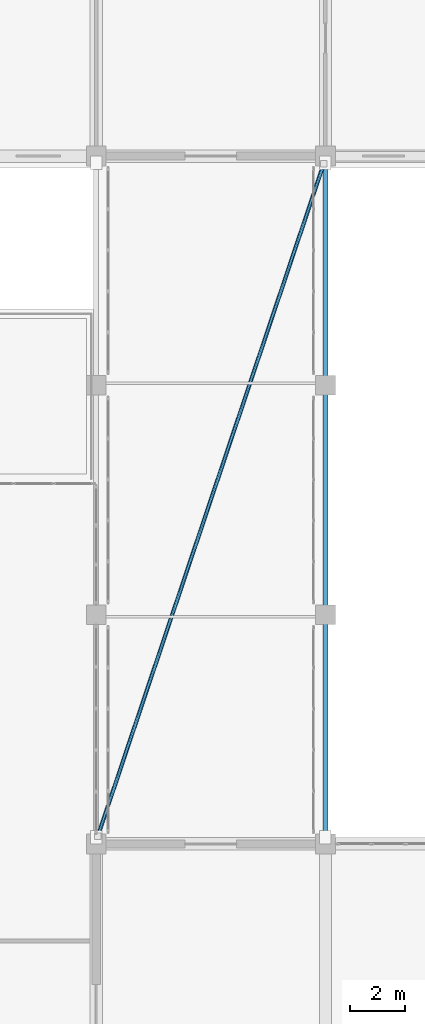
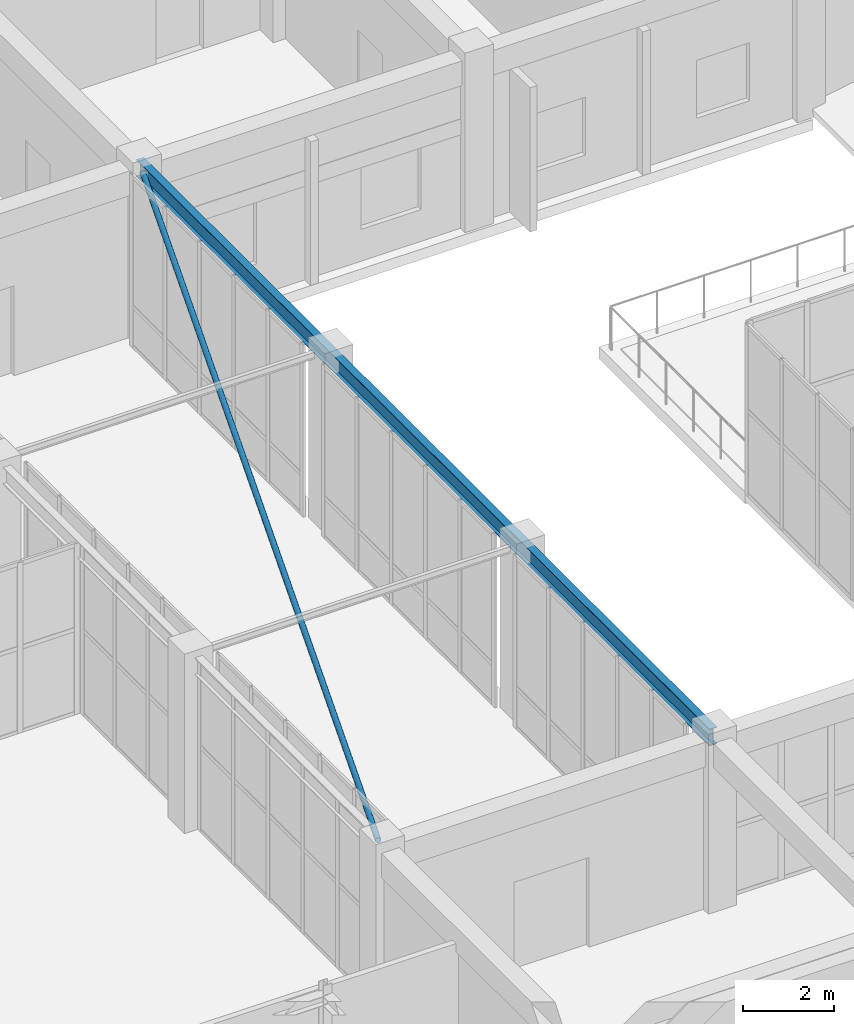
# One storey, part 74 of 158: 1 beam, 1 member.
"""IFC4 building model written with IfcOpenShell, lengths in metres."""

import ifcopenshell
import ifcopenshell.guid

model = None  # the IFC model being written
_history = None  # IfcOwnerHistory: only IFC2X3 demands one
_inside = {}  # id of a spatial element -> (the spatial element, [elements in it])
_under = {}  # id of a project, library or spatial element -> (it, [spatial elements below it])
_declared = {}  # id of a project -> (the project, [libraries it declares])
_typed = {}  # id of a type object -> (the type object, [elements of that type])
_made_of = {}  # id of a material, layer set ... -> (it, [elements and type objects made of it])


def new_model(schema):
    """Start an empty IFC model of exactly this schema.

    Asked for "IFC4X3", IfcOpenShell would pick the latest addendum, in which some entities
    have other attributes; the version numbers below select the first issue.
    IFC2X3 requires an IfcOwnerHistory on every rooted entity: one is made here for all.
    """
    global model, _history
    if schema == "IFC4X3":
        model = ifcopenshell.file(schema_version=(4, 3, 0, 0))
    else:
        model = ifcopenshell.file(schema=schema)
    _inside.clear()
    _under.clear()
    _declared.clear()
    _typed.clear()
    _made_of.clear()
    _history = None
    if model.schema == "IFC2X3":
        org = make("IfcOrganization", Name="unknown")
        user = make(
            "IfcPersonAndOrganization",
            ThePerson=make("IfcPerson", FamilyName="unknown"),
            TheOrganization=org,
        )
        app = make(
            "IfcApplication",
            ApplicationDeveloper=org,
            Version="unknown",
            ApplicationFullName="unknown",
            ApplicationIdentifier="unknown",
        )
        _history = make(
            "IfcOwnerHistory",
            OwningUser=user,
            OwningApplication=app,
            ChangeAction="ADDED",
            CreationDate=0,
        )
    return model


def make(cls, **values):
    """One entity of the class cls with the attributes given. An attribute that is None is left unset."""
    return model.create_entity(
        cls, **{name: value for name, value in values.items() if value is not None}
    )


def rooted(cls, **values):
    """An entity with a GlobalId (a new one), such as an element, a storey or a relation."""
    return make(cls, GlobalId=ifcopenshell.guid.new(), OwnerHistory=_history, **values)


def si_unit(unit_type, name, prefix=None):
    """IfcSIUnit, for example si_unit("LENGTHUNIT", "METRE", prefix="MILLI")."""
    return make("IfcSIUnit", UnitType=unit_type, Prefix=prefix, Name=name)


def assignment(units):
    """IfcUnitAssignment: the units of a project."""
    return None if units is None else make("IfcUnitAssignment", Units=units)


def point(xyz):
    """IfcCartesianPoint."""
    return None if xyz is None else make("IfcCartesianPoint", Coordinates=xyz)


def direction(xyz):
    """IfcDirection."""
    return None if xyz is None else make("IfcDirection", DirectionRatios=xyz)


def frame(location, z_axis=None, x_axis=None):
    """IfcAxis2Placement3D, a coordinate frame: its origin and axes. An axis left out is left unset."""
    return make(
        "IfcAxis2Placement3D",
        Location=point(location),
        Axis=direction(z_axis),
        RefDirection=direction(x_axis),
    )


def frame_2d(location, x_axis=None):
    """IfcAxis2Placement2D, a coordinate frame in the plane: its origin and x axis."""
    return make(
        "IfcAxis2Placement2D", Location=point(location), RefDirection=direction(x_axis)
    )


def origin():
    """The frame at (0, 0, 0) with its axes left unset."""
    return frame((0.0, 0.0, 0.0))


def origin_2d():
    """The frame at (0, 0) in the plane with its x axis left unset."""
    return frame_2d((0.0, 0.0))


def place(relative_to, where):
    """IfcLocalPlacement: puts the frame where relative to a parent placement (None: the world)."""
    return make(
        "IfcLocalPlacement", PlacementRelTo=relative_to, RelativePlacement=where
    )


def context(
    kind, dimensions, precision=None, world=None, true_north=None, identifier=None
):
    """IfcGeometricRepresentationContext, for example the 3D "Model" context."""
    return make(
        "IfcGeometricRepresentationContext",
        ContextIdentifier=identifier,
        ContextType=kind,
        CoordinateSpaceDimension=dimensions,
        Precision=precision,
        WorldCoordinateSystem=world,
        TrueNorth=true_north,
    )


def subcontext(parent, identifier, kind, view, scale=None):
    """IfcGeometricRepresentationSubContext, for example "Body" below "Model"."""
    return make(
        "IfcGeometricRepresentationSubContext",
        ContextIdentifier=identifier,
        ContextType=kind,
        ParentContext=parent,
        TargetScale=scale,
        TargetView=view,
    )


def project(units=None, contexts=None):
    """IfcProject with its units and contexts."""
    return rooted(
        "IfcProject",
        Name="project",
        RepresentationContexts=contexts,
        UnitsInContext=assignment(units),
    )


def spatial(cls, under=None, at=None, **own):
    """A site, building, storey or space (cls), placed at a placement, below another one or the project."""
    s = rooted(cls, ObjectPlacement=at, **own)
    if under is not None:
        _under.setdefault(under.id(), (under, []))[1].append(s)
    return s


def profile(cls, at=None, kind="AREA", **sizes):
    """A parametric profile (cls). Its sizes go by their IFC names, for example OverallWidth=200.0."""
    return make(cls, ProfileType=kind, Position=at, **sizes)


def hollow_circle(**sizes):
    """IfcCircleHollowProfileDef."""
    return profile("IfcCircleHollowProfileDef", **sizes)


def i_section(**sizes):
    """IfcIShapeProfileDef."""
    return profile("IfcIShapeProfileDef", **sizes)


def extrude(swept, where, along, depth):
    """IfcExtrudedAreaSolid: the profile swept, set in the frame where, extruded along a direction by depth."""
    return make(
        "IfcExtrudedAreaSolid",
        SweptArea=swept,
        Position=where,
        ExtrudedDirection=direction(along),
        Depth=depth,
    )


def shape(context_of_items, identifier, shape_type, items):
    """IfcShapeRepresentation: the items that make up one representation, for example the "Body"."""
    return make(
        "IfcShapeRepresentation",
        ContextOfItems=context_of_items,
        RepresentationIdentifier=identifier,
        RepresentationType=shape_type,
        Items=items,
    )


def material(Name=None, Category=None):
    """IfcMaterial."""
    return make("IfcMaterial", Name=Name, Category=Category)


def material_profile(
    of_material, cross_section, Name=None, Category=None, Priority=None
):
    """IfcMaterialProfile: a cross section and its material."""
    return make(
        "IfcMaterialProfile",
        Name=Name,
        Material=of_material,
        Profile=cross_section,
        Priority=Priority,
        Category=Category,
    )


def profile_set(profiles, Name=None, composite=None):
    """IfcMaterialProfileSet."""
    return make(
        "IfcMaterialProfileSet",
        Name=Name,
        MaterialProfiles=profiles,
        CompositeProfile=composite,
    )


def made_of(thing, what):
    """Note that an element or type object is made of a material, layer set ...; save() writes the relation."""
    if what is not None:
        _made_of.setdefault(what.id(), (what, []))[1].append(thing)
    return thing


def type_object(cls, material=None, **own):
    """A type object (cls), such as IfcWallType, which elements share."""
    return made_of(rooted(cls, **own), material)


def element(
    cls,
    number,
    at=None,
    inside=None,
    cuts=None,
    type_object=None,
    material=None,
    context=None,
    identifier="Body",
    shape_type=None,
    held_by="IfcProductDefinitionShape",
    body=None,
    shapes=None,
    **own,
):
    """One element of the class cls, such as IfcWall. Its Tag is "e" and its number.

    at: its placement. inside: the storey or other place that contains it. cuts: it is an
    opening in that element (IfcRelVoidsElement). A single representation is given by context,
    identifier, shape_type and body (its items); several are given by shapes. held_by: the class
    of the entity that holds the representations. save() writes the other relations.
    """
    e = rooted(cls, Tag="e%d" % number, ObjectPlacement=at, **own)
    if body is not None:
        shapes = [shape(context, identifier, shape_type, body)]
    if shapes is not None:
        e.Representation = make(held_by, Representations=shapes)
    if inside is not None:
        _inside.setdefault(inside.id(), (inside, []))[1].append(e)
    if cuts is not None:
        rooted(
            "IfcRelVoidsElement", RelatingBuildingElement=cuts, RelatedOpeningElement=e
        )
    if type_object is not None:
        _typed.setdefault(type_object.id(), (type_object, []))[1].append(e)
    return made_of(e, material)


def aggregate(whole, parts):
    """IfcRelAggregates: a whole, such as a stair, and the parts it consists of."""
    return rooted("IfcRelAggregates", RelatingObject=whole, RelatedObjects=parts)


def save(model, path):
    """Write the relations noted so far, then the file.

    IfcRelAggregates (storeys below a building ...), IfcRelContainedInSpatialStructure (elements
    in a storey), IfcRelDefinesByType, IfcRelAssociatesMaterial and IfcRelDeclares: one each for
    every whole, place, type object, material and project.
    """
    for whole, parts in _under.values():
        aggregate(whole, parts)
    for where, things in _inside.values():
        rooted(
            "IfcRelContainedInSpatialStructure",
            RelatedElements=things,
            RelatingStructure=where,
        )
    for kind, things in _typed.values():
        rooted("IfcRelDefinesByType", RelatedObjects=things, RelatingType=kind)
    for what, things in _made_of.values():
        rooted("IfcRelAssociatesMaterial", RelatedObjects=things, RelatingMaterial=what)
    for by, libraries in _declared.values():
        rooted("IfcRelDeclares", RelatingContext=by, RelatedDefinitions=libraries)
    model.write(path)


model = new_model("IFC4")

# Units and contexts
model_context = context("Model", 3, precision=1e-05, world=origin(), true_north=direction((0.0, 1.0)))
body_context = subcontext(model_context, "Body", "Model", "MODEL_VIEW")
ifc_project = project(units=[si_unit("LENGTHUNIT", "METRE"), si_unit("AREAUNIT", "SQUARE_METRE"), si_unit("VOLUMEUNIT", "CUBIC_METRE"), si_unit("PLANEANGLEUNIT", "RADIAN"), si_unit("MASSUNIT", "GRAM", prefix="KILO")], contexts=[model_context])

# Site, building, storey
site_placement = place(None, origin())
site = spatial("IfcSite", under=ifc_project, at=site_placement, CompositionType="ELEMENT")
building_placement = place(site_placement, origin())
building = spatial("IfcBuilding", under=site, at=building_placement, Name="Trelvath General Hospital", CompositionType="ELEMENT")
storey_placement = place(building_placement, frame((0.0, 0.0, 8.10009765625)))
storey = spatial("IfcBuildingStorey", under=building, at=storey_placement, Name="L02", CompositionType="ELEMENT", Elevation=8.10009765625)

# Member
ifc_material_1 = material(Name="Steel S355", Category="steel")
ifc_material_profile_1 = material_profile(ifc_material_1, hollow_circle(Radius=0.06982421875, WallThickness=0.00634765625, at=origin_2d()), Name="CHS139.7x6.3")
ifc_profile_set_1 = profile_set([ifc_material_profile_1], Name="Steel S355")
member_type = type_object("IfcMemberType", Name="BridgeBrace CHS139", PredefinedType="BRACE", material=ifc_profile_set_1)
member_placement = place(storey_placement, frame((75.659912109375, 67.47998046875, 4.385009765625), z_axis=(0.318534479637, 0.947911275006, 0.0), x_axis=(-0.947911275006, 0.318534479637, 0.0)))
element("IfcMember", 1, at=member_placement, inside=storey, type_object=member_type, Name="Bridge Lateral Brace BRG-N-C L03", PredefinedType="BRACE", context=body_context, shape_type="SweptSolid", body=[
    extrude(hollow_circle(Radius=0.06982421875, WallThickness=0.00634765625, at=origin_2d()), origin(), (0.0, 0.0, 1.0), 25.994140625),
])

# Beam
ifc_material_2 = material(Name="Steel S355", Category="steel")
ifc_material_profile_2 = material_profile(ifc_material_2, i_section(OverallWidth=0.18994140625, OverallDepth=0.449951171875, WebThickness=0.009521484375, FlangeThickness=0.0146484375, at=origin_2d()), Name="IPE450")
ifc_profile_set_2 = profile_set([ifc_material_profile_2], Name="Steel S355")
beam_type = type_object("IfcBeamType", Name="BridgeGirder IPE450", PredefinedType="BEAM", material=ifc_profile_set_2)
beam_placement = place(storey_placement, frame((84.0, 67.239990234375, 4.385009765625), z_axis=(0.0, 1.0, 0.0), x_axis=(-1.0, 0.0, 0.0)))
element("IfcBeam", 2, at=beam_placement, inside=storey, type_object=beam_type, Name="Bridge Girder BRG-N-C E L03", PredefinedType="BEAM", context=body_context, shape_type="SweptSolid", body=[
    extrude(i_section(OverallWidth=0.18994140625, OverallDepth=0.449951171875, WebThickness=0.009521484375, FlangeThickness=0.0146484375, at=origin_2d()), origin(), (0.0, 0.0, 1.0), 25.1201171875),
])

save(model, "model.ifc")
